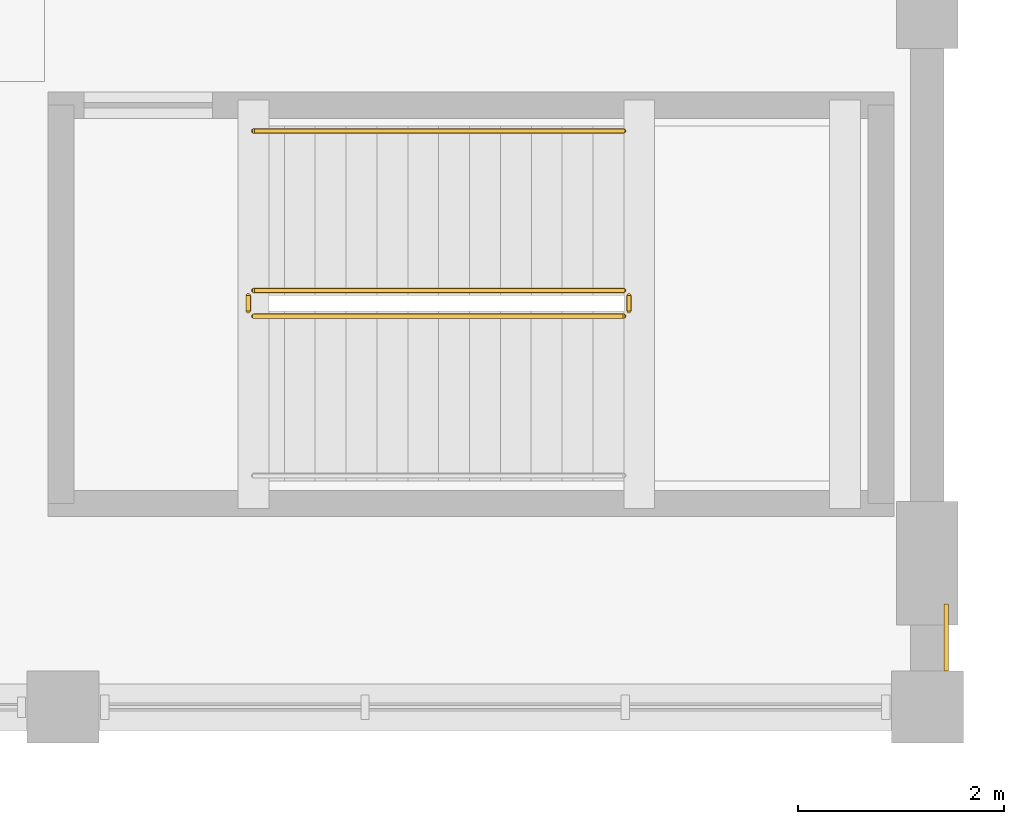
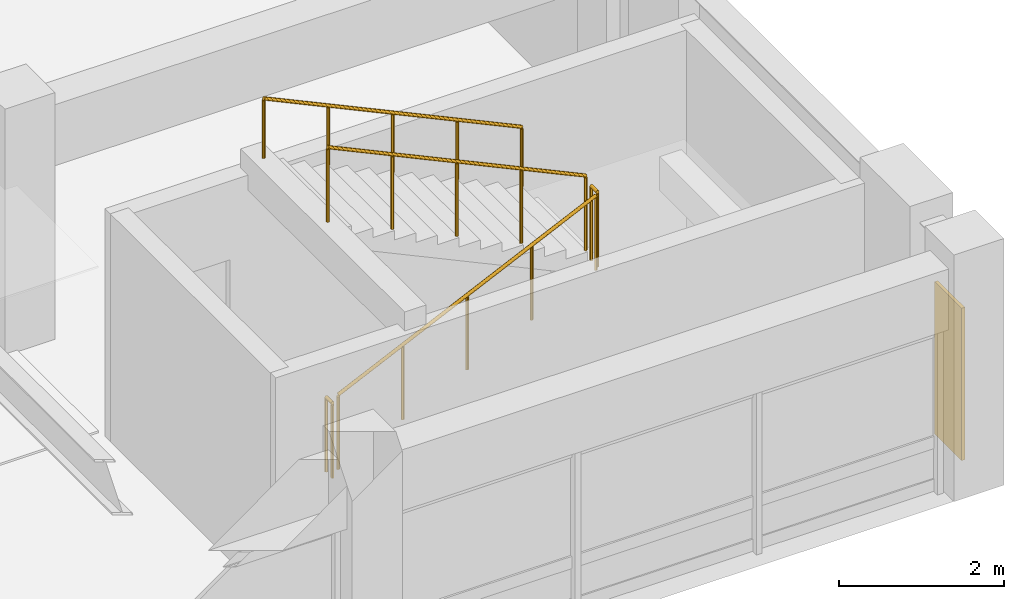
# One storey, part 112 of 118: 5 railings, 1 covering.
"""IFC4 building model written with IfcOpenShell, lengths in metres."""

import ifcopenshell
import ifcopenshell.guid

model = None  # the IFC model being written
_history = None  # IfcOwnerHistory: only IFC2X3 demands one
_inside = {}  # id of a spatial element -> (the spatial element, [elements in it])
_under = {}  # id of a project, library or spatial element -> (it, [spatial elements below it])
_declared = {}  # id of a project -> (the project, [libraries it declares])
_typed = {}  # id of a type object -> (the type object, [elements of that type])
_made_of = {}  # id of a material, layer set ... -> (it, [elements and type objects made of it])


def new_model(schema):
    """Start an empty IFC model of exactly this schema.

    Asked for "IFC4X3", IfcOpenShell would pick the latest addendum, in which some entities
    have other attributes; the version numbers below select the first issue.
    IFC2X3 requires an IfcOwnerHistory on every rooted entity: one is made here for all.
    """
    global model, _history
    if schema == "IFC4X3":
        model = ifcopenshell.file(schema_version=(4, 3, 0, 0))
    else:
        model = ifcopenshell.file(schema=schema)
    _inside.clear()
    _under.clear()
    _declared.clear()
    _typed.clear()
    _made_of.clear()
    _history = None
    if model.schema == "IFC2X3":
        org = make("IfcOrganization", Name="unknown")
        user = make(
            "IfcPersonAndOrganization",
            ThePerson=make("IfcPerson", FamilyName="unknown"),
            TheOrganization=org,
        )
        app = make(
            "IfcApplication",
            ApplicationDeveloper=org,
            Version="unknown",
            ApplicationFullName="unknown",
            ApplicationIdentifier="unknown",
        )
        _history = make(
            "IfcOwnerHistory",
            OwningUser=user,
            OwningApplication=app,
            ChangeAction="ADDED",
            CreationDate=0,
        )
    return model


def make(cls, **values):
    """One entity of the class cls with the attributes given. An attribute that is None is left unset."""
    return model.create_entity(
        cls, **{name: value for name, value in values.items() if value is not None}
    )


def rooted(cls, **values):
    """An entity with a GlobalId (a new one), such as an element, a storey or a relation."""
    return make(cls, GlobalId=ifcopenshell.guid.new(), OwnerHistory=_history, **values)


def si_unit(unit_type, name, prefix=None):
    """IfcSIUnit, for example si_unit("LENGTHUNIT", "METRE", prefix="MILLI")."""
    return make("IfcSIUnit", UnitType=unit_type, Prefix=prefix, Name=name)


def assignment(units):
    """IfcUnitAssignment: the units of a project."""
    return None if units is None else make("IfcUnitAssignment", Units=units)


def point(xyz):
    """IfcCartesianPoint."""
    return None if xyz is None else make("IfcCartesianPoint", Coordinates=xyz)


def direction(xyz):
    """IfcDirection."""
    return None if xyz is None else make("IfcDirection", DirectionRatios=xyz)


def frame(location, z_axis=None, x_axis=None):
    """IfcAxis2Placement3D, a coordinate frame: its origin and axes. An axis left out is left unset."""
    return make(
        "IfcAxis2Placement3D",
        Location=point(location),
        Axis=direction(z_axis),
        RefDirection=direction(x_axis),
    )


def frame_2d(location, x_axis=None):
    """IfcAxis2Placement2D, a coordinate frame in the plane: its origin and x axis."""
    return make(
        "IfcAxis2Placement2D", Location=point(location), RefDirection=direction(x_axis)
    )


def origin():
    """The frame at (0, 0, 0) with its axes left unset."""
    return frame((0.0, 0.0, 0.0))


def origin_2d():
    """The frame at (0, 0) in the plane with its x axis left unset."""
    return frame_2d((0.0, 0.0))


def place(relative_to, where):
    """IfcLocalPlacement: puts the frame where relative to a parent placement (None: the world)."""
    return make(
        "IfcLocalPlacement", PlacementRelTo=relative_to, RelativePlacement=where
    )


def context(
    kind, dimensions, precision=None, world=None, true_north=None, identifier=None
):
    """IfcGeometricRepresentationContext, for example the 3D "Model" context."""
    return make(
        "IfcGeometricRepresentationContext",
        ContextIdentifier=identifier,
        ContextType=kind,
        CoordinateSpaceDimension=dimensions,
        Precision=precision,
        WorldCoordinateSystem=world,
        TrueNorth=true_north,
    )


def subcontext(parent, identifier, kind, view, scale=None):
    """IfcGeometricRepresentationSubContext, for example "Body" below "Model"."""
    return make(
        "IfcGeometricRepresentationSubContext",
        ContextIdentifier=identifier,
        ContextType=kind,
        ParentContext=parent,
        TargetScale=scale,
        TargetView=view,
    )


def project(units=None, contexts=None):
    """IfcProject with its units and contexts."""
    return rooted(
        "IfcProject",
        Name="project",
        RepresentationContexts=contexts,
        UnitsInContext=assignment(units),
    )


def spatial(cls, under=None, at=None, **own):
    """A site, building, storey or space (cls), placed at a placement, below another one or the project."""
    s = rooted(cls, ObjectPlacement=at, **own)
    if under is not None:
        _under.setdefault(under.id(), (under, []))[1].append(s)
    return s


def polyline(points):
    """IfcPolyline through the points."""
    return make("IfcPolyline", Points=[point(p) for p in points])


def profile(cls, at=None, kind="AREA", **sizes):
    """A parametric profile (cls). Its sizes go by their IFC names, for example OverallWidth=200.0."""
    return make(cls, ProfileType=kind, Position=at, **sizes)


def circle(**sizes):
    """IfcCircleProfileDef."""
    return profile("IfcCircleProfileDef", **sizes)


def outline(outer, holes=None, kind="AREA"):
    """IfcArbitraryClosedProfileDef: a profile drawn as a closed curve; with holes, ...WithVoids."""
    if holes is None:
        return make("IfcArbitraryClosedProfileDef", ProfileType=kind, OuterCurve=outer)
    return make(
        "IfcArbitraryProfileDefWithVoids",
        ProfileType=kind,
        OuterCurve=outer,
        InnerCurves=holes,
    )


def extrude(swept, where, along, depth):
    """IfcExtrudedAreaSolid: the profile swept, set in the frame where, extruded along a direction by depth."""
    return make(
        "IfcExtrudedAreaSolid",
        SweptArea=swept,
        Position=where,
        ExtrudedDirection=direction(along),
        Depth=depth,
    )


def shape(context_of_items, identifier, shape_type, items):
    """IfcShapeRepresentation: the items that make up one representation, for example the "Body"."""
    return make(
        "IfcShapeRepresentation",
        ContextOfItems=context_of_items,
        RepresentationIdentifier=identifier,
        RepresentationType=shape_type,
        Items=items,
    )


def material(Name=None, Category=None):
    """IfcMaterial."""
    return make("IfcMaterial", Name=Name, Category=Category)


def layer(
    of_material, thickness, ventilated=None, Name=None, Category=None, Priority=None
):
    """IfcMaterialLayer: one layer of a wall or slab, of a material (None: an air gap)."""
    return make(
        "IfcMaterialLayer",
        Material=of_material,
        LayerThickness=thickness,
        IsVentilated=ventilated,
        Name=Name,
        Category=Category,
        Priority=Priority,
    )


def layer_set(layers, Name=None):
    """IfcMaterialLayerSet."""
    return make("IfcMaterialLayerSet", MaterialLayers=layers, LayerSetName=Name)


def made_of(thing, what):
    """Note that an element or type object is made of a material, layer set ...; save() writes the relation."""
    if what is not None:
        _made_of.setdefault(what.id(), (what, []))[1].append(thing)
    return thing


def type_object(cls, material=None, **own):
    """A type object (cls), such as IfcWallType, which elements share."""
    return made_of(rooted(cls, **own), material)


def element(
    cls,
    number,
    at=None,
    inside=None,
    cuts=None,
    type_object=None,
    material=None,
    context=None,
    identifier="Body",
    shape_type=None,
    held_by="IfcProductDefinitionShape",
    body=None,
    shapes=None,
    **own,
):
    """One element of the class cls, such as IfcWall. Its Tag is "e" and its number.

    at: its placement. inside: the storey or other place that contains it. cuts: it is an
    opening in that element (IfcRelVoidsElement). A single representation is given by context,
    identifier, shape_type and body (its items); several are given by shapes. held_by: the class
    of the entity that holds the representations. save() writes the other relations.
    """
    e = rooted(cls, Tag="e%d" % number, ObjectPlacement=at, **own)
    if body is not None:
        shapes = [shape(context, identifier, shape_type, body)]
    if shapes is not None:
        e.Representation = make(held_by, Representations=shapes)
    if inside is not None:
        _inside.setdefault(inside.id(), (inside, []))[1].append(e)
    if cuts is not None:
        rooted(
            "IfcRelVoidsElement", RelatingBuildingElement=cuts, RelatedOpeningElement=e
        )
    if type_object is not None:
        _typed.setdefault(type_object.id(), (type_object, []))[1].append(e)
    return made_of(e, material)


def aggregate(whole, parts):
    """IfcRelAggregates: a whole, such as a stair, and the parts it consists of."""
    return rooted("IfcRelAggregates", RelatingObject=whole, RelatedObjects=parts)


def save(model, path):
    """Write the relations noted so far, then the file.

    IfcRelAggregates (storeys below a building ...), IfcRelContainedInSpatialStructure (elements
    in a storey), IfcRelDefinesByType, IfcRelAssociatesMaterial and IfcRelDeclares: one each for
    every whole, place, type object, material and project.
    """
    for whole, parts in _under.values():
        aggregate(whole, parts)
    for where, things in _inside.values():
        rooted(
            "IfcRelContainedInSpatialStructure",
            RelatedElements=things,
            RelatingStructure=where,
        )
    for kind, things in _typed.values():
        rooted("IfcRelDefinesByType", RelatedObjects=things, RelatingType=kind)
    for what, things in _made_of.values():
        rooted("IfcRelAssociatesMaterial", RelatedObjects=things, RelatingMaterial=what)
    for by, libraries in _declared.values():
        rooted("IfcRelDeclares", RelatingContext=by, RelatedDefinitions=libraries)
    model.write(path)


model = new_model("IFC4")

# Units and contexts
model_context = context("Model", 3, precision=1e-05, world=origin(), true_north=direction((0.0, 1.0)))
body_context = subcontext(model_context, "Body", "Model", "MODEL_VIEW")
ifc_project = project(units=[si_unit("LENGTHUNIT", "METRE"), si_unit("AREAUNIT", "SQUARE_METRE"), si_unit("VOLUMEUNIT", "CUBIC_METRE"), si_unit("PLANEANGLEUNIT", "RADIAN"), si_unit("MASSUNIT", "GRAM", prefix="KILO")], contexts=[model_context])

# Site, building, storey
site_placement = place(None, origin())
site = spatial("IfcSite", under=ifc_project, at=site_placement, CompositionType="ELEMENT")
building_placement = place(site_placement, origin())
building = spatial("IfcBuilding", under=site, at=building_placement, Name="Cumbredor Promenade Congress Hotel", CompositionType="ELEMENT")
storey_placement = place(building_placement, frame((0.0, 0.0, 3.919921875)))
storey = spatial("IfcBuildingStorey", under=building, at=storey_placement, Name="L01", CompositionType="ELEMENT", Elevation=3.919921875)

# Covering
ifc_material_1 = material(Name="Precast concrete C40/50", Category="concrete")
ifc_layer = layer(ifc_material_1, 0.044921875, Name="Precast concrete C40/50", Category="concrete")
ifc_layer_set = layer_set([ifc_layer], Name="Precast concrete C40/50")
covering_type = type_object("IfcCoveringType", Name="Board-Formed Architectural Cladding Panel 45mm", PredefinedType="CLADDING", material=ifc_layer_set)
covering_placement = place(storey_placement, origin())
element("IfcCovering", 1, at=covering_placement, inside=storey, type_object=covering_type, Name="L01 Facade Stone Cladding Pier 060", PredefinedType="CLADDING", context=body_context, shape_type="SweptSolid", body=[
    extrude(outline(polyline([(184.96240234375, 8.7509765625), (184.96240234375, 9.40087890625), (185.007568359375, 9.40087890625), (185.007568359375, 8.7509765625), (184.96240234375, 8.7509765625)])), origin(), (0.0, 0.0, 1.0), 2.25),
])

# Railings
ifc_material_2 = material(Name="Brushed stainless steel", Category="steel")
railing_type_1 = type_object("IfcRailingType", Name="Interior Void & Stair Guardrail GR-1100", PredefinedType="GUARDRAIL", material=ifc_material_2)
railing_1_placement = place(storey_placement, frame((178.25, 12.199951171875, 0.14013671875)))
element("IfcRailing", 2, at=railing_1_placement, inside=storey, type_object=railing_type_1, Name="L01 ST-09 stair guard 1", PredefinedType="GUARDRAIL", context=body_context, shape_type="SweptSolid", body=[
    extrude(circle(Radius=0.02392578125, at=origin_2d()), frame((0.0, 0.0, 1.09619140625), z_axis=(0.906194129559, 0.0, 0.422861915468), x_axis=(0.0, 1.0, 0.0)), (0.0, 0.0, 1.0), 3.97265625),
    extrude(circle(Radius=0.02099609375, at=origin_2d()), origin(), (0.0, 0.0, 1.0), 1.072021484375),
    extrude(circle(Radius=0.02099609375, at=origin_2d()), frame((0.89990234375, 0.0, 0.419921875)), (0.0, 0.0, 1.0), 1.072021484375),
    extrude(circle(Radius=0.02099609375, at=origin_2d()), frame((1.800048828125, 0.0, 0.83984375)), (0.0, 0.0, 1.0), 1.072021484375),
    extrude(circle(Radius=0.02099609375, at=origin_2d()), frame((2.7001953125, 0.0, 1.260009765625)), (0.0, 0.0, 1.0), 1.072021484375),
    extrude(circle(Radius=0.02099609375, at=origin_2d()), frame((3.60009765625, 0.0, 1.679931640625)), (0.0, 0.0, 1.0), 1.072021484375),
])
railing_2_placement = place(storey_placement, frame((181.89990234375, 12.25, 1.820068359375)))
element("IfcRailing", 3, at=railing_2_placement, inside=storey, type_object=railing_type_1, Name="L01 ST-09 stair guard 2", PredefinedType="GUARDRAIL", context=body_context, shape_type="SweptSolid", body=[
    extrude(circle(Radius=0.02392578125, at=origin_2d()), frame((0.0, 0.0, 1.09619140625), z_axis=(0.0, 1.0, 0.0), x_axis=(-1.0, 0.0, 0.0)), (0.0, 0.0, 1.0), 0.14990234375),
    extrude(circle(Radius=0.02099609375, at=origin_2d()), origin(), (0.0, 0.0, 1.0), 1.072021484375),
    extrude(circle(Radius=0.02099609375, at=origin_2d()), frame((0.0, 0.14990234375, 0.0)), (0.0, 0.0, 1.0), 1.072021484375),
])
railing_3_placement = place(storey_placement, frame((181.85009765625, 12.449951171875, 1.9599609375)))
element("IfcRailing", 4, at=railing_3_placement, inside=storey, type_object=railing_type_1, Name="L01 ST-09 stair guard 3", PredefinedType="GUARDRAIL", context=body_context, shape_type="SweptSolid", body=[
    extrude(circle(Radius=0.02392578125, at=origin_2d()), frame((0.0, 0.0, 1.09619140625), z_axis=(-0.906170580071, 0.0, 0.422912378411), x_axis=(0.0, -1.0, 0.0)), (0.0, 0.0, 1.0), 3.972900390625),
    extrude(circle(Radius=0.02099609375, at=origin_2d()), origin(), (0.0, 0.0, 1.0), 1.072021484375),
    extrude(circle(Radius=0.02099609375, at=origin_2d()), frame((-0.89990234375, 0.0, 0.419921875)), (0.0, 0.0, 1.0), 1.072021484375),
    extrude(circle(Radius=0.02099609375, at=origin_2d()), frame((-1.800048828125, 0.0, 0.840087890625)), (0.0, 0.0, 1.0), 1.072021484375),
    extrude(circle(Radius=0.02099609375, at=origin_2d()), frame((-2.7001953125, 0.0, 1.26025390625)), (0.0, 0.0, 1.0), 1.072021484375),
    extrude(circle(Radius=0.02099609375, at=origin_2d()), frame((-3.60009765625, 0.0, 1.68017578125)), (0.0, 0.0, 1.0), 1.072021484375),
])
railing_4_placement = place(storey_placement, frame((178.199951171875, 12.25, 0.0)))
element("IfcRailing", 5, at=railing_4_placement, inside=storey, type_object=railing_type_1, Name="L01 ST-09 stair guard 4", PredefinedType="GUARDRAIL", context=body_context, shape_type="SweptSolid", body=[
    extrude(circle(Radius=0.02392578125, at=origin_2d()), frame((0.0, 0.0, 1.09619140625), z_axis=(0.0, 1.0, 0.0), x_axis=(-1.0, 0.0, 0.0)), (0.0, 0.0, 1.0), 0.14990234375),
    extrude(circle(Radius=0.02099609375, at=origin_2d()), origin(), (0.0, 0.0, 1.0), 1.072021484375),
    extrude(circle(Radius=0.02099609375, at=origin_2d()), frame((0.0, 0.14990234375, 0.0)), (0.0, 0.0, 1.0), 1.072021484375),
])
railing_type_2 = type_object("IfcRailingType", Name="Stair Pitch Handrail HR-900", PredefinedType="HANDRAIL", material=ifc_material_2)
railing_5_placement = place(storey_placement, frame((181.85009765625, 14.0, 1.9599609375)))
element("IfcRailing", 6, at=railing_5_placement, inside=storey, type_object=railing_type_2, Name="L01 ST-09 stair handrail 2", PredefinedType="HANDRAIL", context=body_context, shape_type="SweptSolid", body=[
    extrude(circle(Radius=0.02392578125, at=origin_2d()), frame((0.0, 0.0, 0.8759765625), z_axis=(-0.906170580071, 0.0, 0.422912378411), x_axis=(0.0, -1.0, 0.0)), (0.0, 0.0, 1.0), 3.972900390625),
    extrude(circle(Radius=0.02099609375, at=origin_2d()), origin(), (0.0, 0.0, 1.0), 0.851806640625),
    extrude(circle(Radius=0.02099609375, at=origin_2d()), frame((-0.89990234375, 0.0, 0.419921875)), (0.0, 0.0, 1.0), 0.851806640625),
    extrude(circle(Radius=0.02099609375, at=origin_2d()), frame((-1.800048828125, 0.0, 0.840087890625)), (0.0, 0.0, 1.0), 0.851806640625),
    extrude(circle(Radius=0.02099609375, at=origin_2d()), frame((-2.7001953125, 0.0, 1.26025390625)), (0.0, 0.0, 1.0), 0.851806640625),
    extrude(circle(Radius=0.02099609375, at=origin_2d()), frame((-3.60009765625, 0.0, 1.68017578125)), (0.0, 0.0, 1.0), 0.851806640625),
])

save(model, "model.ifc")
